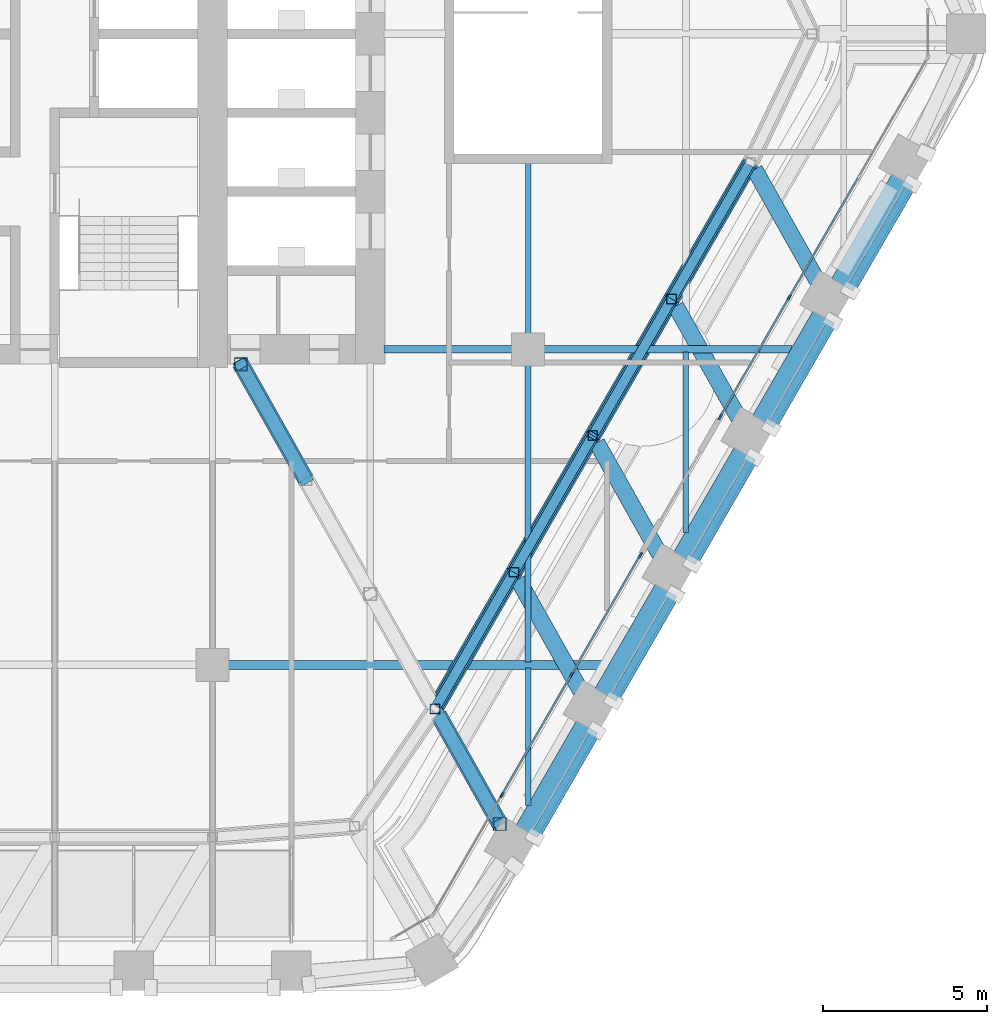
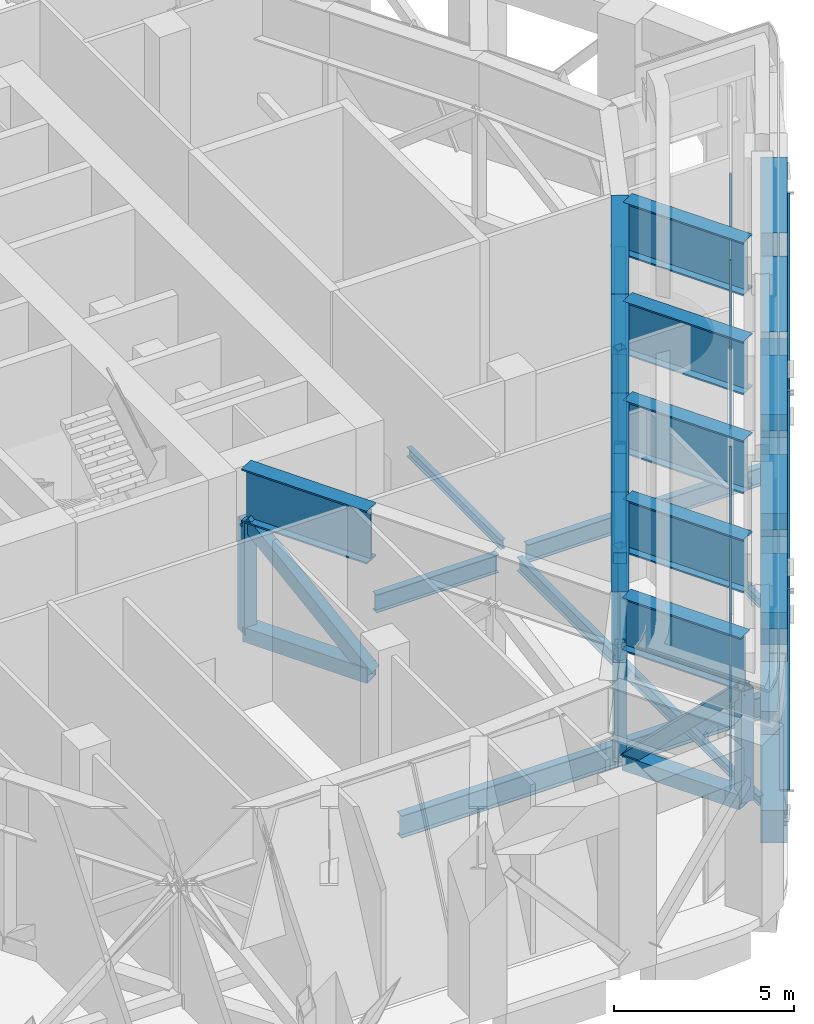
# One storey, part 6 of 27: 36 members, 27 beams, 2 elements without a shape of their own.
"""IFC4 building model written with IfcOpenShell, lengths in metres."""

import ifcopenshell
import ifcopenshell.guid

model = None  # the IFC model being written
_history = None  # IfcOwnerHistory: only IFC2X3 demands one
_inside = {}  # id of a spatial element -> (the spatial element, [elements in it])
_under = {}  # id of a project, library or spatial element -> (it, [spatial elements below it])
_declared = {}  # id of a project -> (the project, [libraries it declares])
_typed = {}  # id of a type object -> (the type object, [elements of that type])
_made_of = {}  # id of a material, layer set ... -> (it, [elements and type objects made of it])


def new_model(schema):
    """Start an empty IFC model of exactly this schema.

    Asked for "IFC4X3", IfcOpenShell would pick the latest addendum, in which some entities
    have other attributes; the version numbers below select the first issue.
    IFC2X3 requires an IfcOwnerHistory on every rooted entity: one is made here for all.
    """
    global model, _history
    if schema == "IFC4X3":
        model = ifcopenshell.file(schema_version=(4, 3, 0, 0))
    else:
        model = ifcopenshell.file(schema=schema)
    _inside.clear()
    _under.clear()
    _declared.clear()
    _typed.clear()
    _made_of.clear()
    _history = None
    if model.schema == "IFC2X3":
        org = make("IfcOrganization", Name="unknown")
        user = make(
            "IfcPersonAndOrganization",
            ThePerson=make("IfcPerson", FamilyName="unknown"),
            TheOrganization=org,
        )
        app = make(
            "IfcApplication",
            ApplicationDeveloper=org,
            Version="unknown",
            ApplicationFullName="unknown",
            ApplicationIdentifier="unknown",
        )
        _history = make(
            "IfcOwnerHistory",
            OwningUser=user,
            OwningApplication=app,
            ChangeAction="ADDED",
            CreationDate=0,
        )
    return model


def make(cls, **values):
    """One entity of the class cls with the attributes given. An attribute that is None is left unset."""
    return model.create_entity(
        cls, **{name: value for name, value in values.items() if value is not None}
    )


def rooted(cls, **values):
    """An entity with a GlobalId (a new one), such as an element, a storey or a relation."""
    return make(cls, GlobalId=ifcopenshell.guid.new(), OwnerHistory=_history, **values)


def si_unit(unit_type, name, prefix=None):
    """IfcSIUnit, for example si_unit("LENGTHUNIT", "METRE", prefix="MILLI")."""
    return make("IfcSIUnit", UnitType=unit_type, Prefix=prefix, Name=name)


def assignment(units):
    """IfcUnitAssignment: the units of a project."""
    return None if units is None else make("IfcUnitAssignment", Units=units)


def point(xyz):
    """IfcCartesianPoint."""
    return None if xyz is None else make("IfcCartesianPoint", Coordinates=xyz)


def direction(xyz):
    """IfcDirection."""
    return None if xyz is None else make("IfcDirection", DirectionRatios=xyz)


def frame(location, z_axis=None, x_axis=None):
    """IfcAxis2Placement3D, a coordinate frame: its origin and axes. An axis left out is left unset."""
    return make(
        "IfcAxis2Placement3D",
        Location=point(location),
        Axis=direction(z_axis),
        RefDirection=direction(x_axis),
    )


def frame_2d(location, x_axis=None):
    """IfcAxis2Placement2D, a coordinate frame in the plane: its origin and x axis."""
    return make(
        "IfcAxis2Placement2D", Location=point(location), RefDirection=direction(x_axis)
    )


def origin():
    """The frame at (0, 0, 0) with its axes left unset."""
    return frame((0.0, 0.0, 0.0))


def origin_2d():
    """The frame at (0, 0) in the plane with its x axis left unset."""
    return frame_2d((0.0, 0.0))


def place(relative_to, where):
    """IfcLocalPlacement: puts the frame where relative to a parent placement (None: the world)."""
    return make(
        "IfcLocalPlacement", PlacementRelTo=relative_to, RelativePlacement=where
    )


def context(
    kind, dimensions, precision=None, world=None, true_north=None, identifier=None
):
    """IfcGeometricRepresentationContext, for example the 3D "Model" context."""
    return make(
        "IfcGeometricRepresentationContext",
        ContextIdentifier=identifier,
        ContextType=kind,
        CoordinateSpaceDimension=dimensions,
        Precision=precision,
        WorldCoordinateSystem=world,
        TrueNorth=true_north,
    )


def subcontext(parent, identifier, kind, view, scale=None):
    """IfcGeometricRepresentationSubContext, for example "Body" below "Model"."""
    return make(
        "IfcGeometricRepresentationSubContext",
        ContextIdentifier=identifier,
        ContextType=kind,
        ParentContext=parent,
        TargetScale=scale,
        TargetView=view,
    )


def project(units=None, contexts=None):
    """IfcProject with its units and contexts."""
    return rooted(
        "IfcProject",
        Name="project",
        RepresentationContexts=contexts,
        UnitsInContext=assignment(units),
    )


def spatial(cls, under=None, at=None, **own):
    """A site, building, storey or space (cls), placed at a placement, below another one or the project."""
    s = rooted(cls, ObjectPlacement=at, **own)
    if under is not None:
        _under.setdefault(under.id(), (under, []))[1].append(s)
    return s


def profile(cls, at=None, kind="AREA", **sizes):
    """A parametric profile (cls). Its sizes go by their IFC names, for example OverallWidth=200.0."""
    return make(cls, ProfileType=kind, Position=at, **sizes)


def rectangle(**sizes):
    """IfcRectangleProfileDef."""
    return profile("IfcRectangleProfileDef", **sizes)


def hollow_rectangle(**sizes):
    """IfcRectangleHollowProfileDef."""
    return profile("IfcRectangleHollowProfileDef", **sizes)


def i_section(**sizes):
    """IfcIShapeProfileDef."""
    return profile("IfcIShapeProfileDef", **sizes)


def extrude(swept, where, along, depth):
    """IfcExtrudedAreaSolid: the profile swept, set in the frame where, extruded along a direction by depth."""
    return make(
        "IfcExtrudedAreaSolid",
        SweptArea=swept,
        Position=where,
        ExtrudedDirection=direction(along),
        Depth=depth,
    )


def shape(context_of_items, identifier, shape_type, items):
    """IfcShapeRepresentation: the items that make up one representation, for example the "Body"."""
    return make(
        "IfcShapeRepresentation",
        ContextOfItems=context_of_items,
        RepresentationIdentifier=identifier,
        RepresentationType=shape_type,
        Items=items,
    )


def material(Name=None, Category=None):
    """IfcMaterial."""
    return make("IfcMaterial", Name=Name, Category=Category)


def material_profile(
    of_material, cross_section, Name=None, Category=None, Priority=None
):
    """IfcMaterialProfile: a cross section and its material."""
    return make(
        "IfcMaterialProfile",
        Name=Name,
        Material=of_material,
        Profile=cross_section,
        Priority=Priority,
        Category=Category,
    )


def profile_set(profiles, Name=None, composite=None):
    """IfcMaterialProfileSet."""
    return make(
        "IfcMaterialProfileSet",
        Name=Name,
        MaterialProfiles=profiles,
        CompositeProfile=composite,
    )


def made_of(thing, what):
    """Note that an element or type object is made of a material, layer set ...; save() writes the relation."""
    if what is not None:
        _made_of.setdefault(what.id(), (what, []))[1].append(thing)
    return thing


def type_object(cls, material=None, **own):
    """A type object (cls), such as IfcWallType, which elements share."""
    return made_of(rooted(cls, **own), material)


def element(
    cls,
    number,
    at=None,
    inside=None,
    cuts=None,
    type_object=None,
    material=None,
    context=None,
    identifier="Body",
    shape_type=None,
    held_by="IfcProductDefinitionShape",
    body=None,
    shapes=None,
    **own,
):
    """One element of the class cls, such as IfcWall. Its Tag is "e" and its number.

    at: its placement. inside: the storey or other place that contains it. cuts: it is an
    opening in that element (IfcRelVoidsElement). A single representation is given by context,
    identifier, shape_type and body (its items); several are given by shapes. held_by: the class
    of the entity that holds the representations. save() writes the other relations.
    """
    e = rooted(cls, Tag="e%d" % number, ObjectPlacement=at, **own)
    if body is not None:
        shapes = [shape(context, identifier, shape_type, body)]
    if shapes is not None:
        e.Representation = make(held_by, Representations=shapes)
    if inside is not None:
        _inside.setdefault(inside.id(), (inside, []))[1].append(e)
    if cuts is not None:
        rooted(
            "IfcRelVoidsElement", RelatingBuildingElement=cuts, RelatedOpeningElement=e
        )
    if type_object is not None:
        _typed.setdefault(type_object.id(), (type_object, []))[1].append(e)
    return made_of(e, material)


def aggregate(whole, parts):
    """IfcRelAggregates: a whole, such as a stair, and the parts it consists of."""
    return rooted("IfcRelAggregates", RelatingObject=whole, RelatedObjects=parts)


def save(model, path):
    """Write the relations noted so far, then the file.

    IfcRelAggregates (storeys below a building ...), IfcRelContainedInSpatialStructure (elements
    in a storey), IfcRelDefinesByType, IfcRelAssociatesMaterial and IfcRelDeclares: one each for
    every whole, place, type object, material and project.
    """
    for whole, parts in _under.values():
        aggregate(whole, parts)
    for where, things in _inside.values():
        rooted(
            "IfcRelContainedInSpatialStructure",
            RelatedElements=things,
            RelatingStructure=where,
        )
    for kind, things in _typed.values():
        rooted("IfcRelDefinesByType", RelatedObjects=things, RelatingType=kind)
    for what, things in _made_of.values():
        rooted("IfcRelAssociatesMaterial", RelatedObjects=things, RelatingMaterial=what)
    for by, libraries in _declared.values():
        rooted("IfcRelDeclares", RelatingContext=by, RelatedDefinitions=libraries)
    model.write(path)


model = new_model("IFC4")

# Units and contexts
model_context = context("Model", 3, precision=1e-05, world=origin(), true_north=direction((0.0, 1.0)))
body_context = subcontext(model_context, "Body", "Model", "MODEL_VIEW")
ifc_project = project(units=[si_unit("LENGTHUNIT", "METRE"), si_unit("AREAUNIT", "SQUARE_METRE"), si_unit("VOLUMEUNIT", "CUBIC_METRE"), si_unit("PLANEANGLEUNIT", "RADIAN"), si_unit("MASSUNIT", "GRAM", prefix="KILO")], contexts=[model_context])

# Site, building, storey
site_placement = place(None, origin())
site = spatial("IfcSite", under=ifc_project, at=site_placement, CompositionType="ELEMENT")
building_placement = place(site_placement, origin())
building = spatial("IfcBuilding", under=site, at=building_placement, Name="Kolab Exchange Tower", CompositionType="ELEMENT")
storey_placement = place(building_placement, frame((0.0, 0.0, 127.39990234375)))
storey = spatial("IfcBuildingStorey", under=building, at=storey_placement, Name="L25", CompositionType="ELEMENT", Elevation=127.39990234375)

# Members
ifc_material_1 = material(Name="Steel S355", Category="steel")
ifc_material_profile_1 = material_profile(ifc_material_1, hollow_rectangle(XDim=0.300048828125, YDim=0.300048828125, WallThickness=0.01611328125, at=origin_2d()), Name="HSS300X300X16")
ifc_profile_set_1 = profile_set([ifc_material_profile_1], Name="Steel S355")
member_type_1 = type_object("IfcMemberType", Name="BELT TRUSS BRACE HSS300X300X16", PredefinedType="BRACE", material=ifc_profile_set_1)
for number, where, z_axis, x_axis, name in (
    (1, (25.967041015625, -3.906982421875, 4.050048828125), (-0.392049206664, -0.678977702437, -0.620714668062), (0.866002622515, -0.50003945624, 0.0), "mem/L25/ring/d-F3-02"),
    (2, (23.56689453125, -8.063720703125, 0.25), (-0.392004841722, -0.679009810783, 0.620707564741), (0.866037363387, -0.499979284789, 0.0), "mem/L25/ring/d-F3-03"),
    (3, (21.1669921875, -12.220703125, 4.050048828125), (-0.392004841722, -0.679009810783, -0.620707564741), (0.866037363387, -0.499979284789, 0.0), "mem/L25/ring/d-F3-04"),
):
    element("IfcMember", number, at=place(storey_placement, frame(where, z_axis=z_axis, x_axis=x_axis)), inside=storey, type_object=member_type_1, Name=name, PredefinedType="BRACE", context=body_context, shape_type="SweptSolid", body=[
        extrude(hollow_rectangle(XDim=0.300048828125, YDim=0.300048828125, WallThickness=0.01611328125, at=origin_2d()), origin(), (0.0, 0.0, 1.0), 6.1220703125),
    ])
member_1_placement = place(storey_placement, frame((18.76708984375, -16.377685546875, 0.25), z_axis=(-0.392038591319, -0.678999195849, 0.620697861244), x_axis=(0.866015339567, -0.500017431331, 0.0)))
element("IfcMember", 4, at=member_1_placement, inside=storey, type_object=member_type_1, Name="mem/L25/ring/d-F3-05", PredefinedType="BRACE", context=body_context, shape_type="SweptSolid", body=[
    extrude(hollow_rectangle(XDim=0.300048828125, YDim=0.300048828125, WallThickness=0.01611328125, at=origin_2d()), origin(), (0.0, 0.0, 1.0), 6.122314453125),
])
for number, where, z_axis, x_axis, name in (
    (5, (30.868896484375, -4.5869140625, 4.60009765625), (-0.33175876964, -0.574575918421, -0.748196921096), (0.866007645851, -0.500030756381, 0.0), "mem/L25/fb/F3-02"),
    (6, (28.468994140625, -8.74365234375, 0.400146484375), (-0.33175876964, -0.574575918421, 0.748196921096), (0.866007645851, -0.500030756381, 0.0), "mem/L25/fb/F3-03"),
):
    element("IfcMember", number, at=place(storey_placement, frame(where, z_axis=z_axis, x_axis=x_axis)), inside=storey, type_object=member_type_1, Name=name, PredefinedType="BRACE", context=body_context, shape_type="SweptSolid", body=[
        extrude(hollow_rectangle(XDim=0.300048828125, YDim=0.300048828125, WallThickness=0.01611328125, at=origin_2d()), origin(), (0.0, 0.0, 1.0), 5.613525390625),
    ])
member_2_placement = place(storey_placement, frame((26.06884765625, -12.900634765625, 4.60009765625), z_axis=(-0.331720063492, -0.574584208573, -0.748207716303), x_axis=(0.866036031404, -0.49998159197, 0.0)))
element("IfcMember", 7, at=member_2_placement, inside=storey, type_object=member_type_1, Name="mem/L25/fb/F3-04", PredefinedType="BRACE", context=body_context, shape_type="SweptSolid", body=[
    extrude(hollow_rectangle(XDim=0.300048828125, YDim=0.300048828125, WallThickness=0.01611328125, at=origin_2d()), origin(), (0.0, 0.0, 1.0), 5.61328125),
])
member_3_placement = place(storey_placement, frame((23.6689453125, -17.0576171875, 0.400146484375), z_axis=(-0.33175876964, -0.574575918421, 0.748196921096), x_axis=(0.866007645851, -0.500030756381, 0.0)))
element("IfcMember", 8, at=member_3_placement, inside=storey, type_object=member_type_1, Name="mem/L25/fb/F3-05", PredefinedType="BRACE", context=body_context, shape_type="SweptSolid", body=[
    extrude(hollow_rectangle(XDim=0.300048828125, YDim=0.300048828125, WallThickness=0.01611328125, at=origin_2d()), origin(), (0.0, 0.0, 1.0), 5.613525390625),
])
member_4_placement = place(storey_placement, frame((21.268798828125, -21.214599609375, 4.60009765625), z_axis=(-0.331720063492, -0.574584208573, -0.748207716303), x_axis=(0.866036031404, -0.49998159197, 0.0)))
element("IfcMember", 9, at=member_4_placement, inside=storey, type_object=member_type_1, Name="mem/L25/fb/F3-06", PredefinedType="BRACE", context=body_context, shape_type="SweptSolid", body=[
    extrude(hollow_rectangle(XDim=0.300048828125, YDim=0.300048828125, WallThickness=0.01611328125, at=origin_2d()), origin(), (0.0, 0.0, 1.0), 5.61328125),
])
ifc_material_profile_2 = material_profile(ifc_material_1, hollow_rectangle(XDim=0.39990234375, YDim=0.39990234375, WallThickness=0.02001953125, at=origin_2d()), Name="HSS400X400X20")
ifc_profile_set_2 = profile_set([ifc_material_profile_2], Name="Steel S355")
member_type_2 = type_object("IfcMemberType", Name="BELT TRUSS CHORD HSS400X400X20", PredefinedType="CHORD", material=ifc_profile_set_2)
member_5_placement = place(storey_placement, frame((25.967041015625, -3.906982421875, 0.25), z_axis=(-0.50003945624, -0.866002622515, 0.0), x_axis=(0.866002622515, -0.50003945624, 0.0)))
element("IfcMember", 10, at=member_5_placement, inside=storey, type_object=member_type_2, Name="mem/L25/ring/c-F3-02", PredefinedType="CHORD", context=body_context, shape_type="SweptSolid", body=[
    extrude(hollow_rectangle(XDim=0.39990234375, YDim=0.39990234375, WallThickness=0.02001953125, at=origin_2d()), origin(), (0.0, 0.0, 1.0), 4.7998046875),
])
for number, where, z_axis, x_axis, name in (
    (11, (23.56689453125, -8.063720703125, 0.25), (-0.499979284789, -0.866037363387, 0.0), (0.866037363387, -0.499979284789, 0.0), "mem/L25/ring/c-F3-03"),
    (12, (21.1669921875, -12.220703125, 0.25), (-0.499979284789, -0.866037363387, 0.0), (0.866037363387, -0.499979284789, 0.0), "mem/L25/ring/c-F3-04"),
    (13, (18.76708984375, -16.377685546875, 0.25), (-0.500017431331, -0.866015339567, 0.0), (0.866015339567, -0.500017431331, 0.0), "mem/L25/ring/c-F3-05"),
):
    element("IfcMember", number, at=place(storey_placement, frame(where, z_axis=z_axis, x_axis=x_axis)), inside=storey, type_object=member_type_2, Name=name, PredefinedType="CHORD", context=body_context, shape_type="SweptSolid", body=[
        extrude(hollow_rectangle(XDim=0.39990234375, YDim=0.39990234375, WallThickness=0.02001953125, at=origin_2d()), origin(), (0.0, 0.0, 1.0), 4.800048828125),
    ])

# Beams
ifc_material_profile_3 = material_profile(ifc_material_1, i_section(OverallWidth=0.5, OverallDepth=1.800048828125, WebThickness=0.031982421875, FlangeThickness=0.050048828125, at=origin_2d()), Name="PG1800X500")
ifc_profile_set_3 = profile_set([ifc_material_profile_3], Name="Steel S355")
beam_type_1 = type_object("IfcBeamType", Name="BELT TRUSS GIRDER PG1800X500", PredefinedType="BEAM", material=ifc_profile_set_3)
beam_1_placement = place(storey_placement, frame((25.967041015625, -3.906982421875, 4.9501953125), z_axis=(-0.50003945624, -0.866002622515, 0.0), x_axis=(0.866002622515, -0.50003945624, 0.0)))
element("IfcBeam", 14, at=beam_1_placement, inside=storey, type_object=beam_type_1, Name="beam/L25/bg/F3-run0", PredefinedType="BEAM", context=body_context, shape_type="SweptSolid", body=[
    extrude(i_section(OverallWidth=0.5, OverallDepth=1.800048828125, WebThickness=0.031982421875, FlangeThickness=0.050048828125, at=origin_2d()), origin(), (0.0, 0.0, 1.0), 4.7998046875),
])
for number, where, z_axis, x_axis, name in (
    (15, (23.56689453125, -8.063720703125, 4.9501953125), (-0.499979284789, -0.866037363387, 0.0), (0.866037363387, -0.499979284789, 0.0), "beam/L25/bg/F3-run1"),
    (16, (21.1669921875, -12.220703125, 4.9501953125), (-0.499979284789, -0.866037363387, 0.0), (0.866037363387, -0.499979284789, 0.0), "beam/L25/bg/F3-run2"),
    (17, (18.76708984375, -16.377685546875, 4.9501953125), (-0.500017431331, -0.866015339567, 0.0), (0.866015339567, -0.500017431331, 0.0), "beam/L25/bg/F3-run3"),
):
    element("IfcBeam", number, at=place(storey_placement, frame(where, z_axis=z_axis, x_axis=x_axis)), inside=storey, type_object=beam_type_1, Name=name, PredefinedType="BEAM", context=body_context, shape_type="SweptSolid", body=[
        extrude(i_section(OverallWidth=0.5, OverallDepth=1.800048828125, WebThickness=0.031982421875, FlangeThickness=0.050048828125, at=origin_2d()), origin(), (0.0, 0.0, 1.0), 4.800048828125),
    ])

# Members
ifc_material_profile_4 = material_profile(ifc_material_1, hollow_rectangle(XDim=0.300048828125, YDim=0.300048828125, WallThickness=0.01611328125, at=origin_2d()), Name="HSS300X300X16")
ifc_profile_set_4 = profile_set([ifc_material_profile_4], Name="Steel S355")
member_type_3 = type_object("IfcMemberType", Name="BELT TRUSS POST HSS300X300X16", PredefinedType="POST", material=ifc_profile_set_4)
for number, where, z_axis, x_axis, name in (
    (18, (23.56689453125, -8.063720703125, 0.25), (0.0, 0.0, 1.0), (1.0, 0.0, 0.0), "mem/L25/ring/p-F3-03"),
    (19, (21.1669921875, -12.220703125, 0.25), (0.0, 0.0, 1.0), (1.0, 0.0, 0.0), "mem/L25/ring/p-F3-04"),
    (20, (18.76708984375, -16.377685546875, 0.25), (0.0, 0.0, 1.0), (1.0, 0.0, 0.0), "mem/L25/ring/p-F3-05"),
    (21, (16.366943359375, -20.53466796875, 0.25), (0.0, 0.0, 1.0), (1.0, 0.0, 0.0), "mem/L25/ring/p-F3-06"),
):
    element("IfcMember", number, at=place(storey_placement, frame(where, z_axis=z_axis, x_axis=x_axis)), inside=storey, type_object=member_type_3, Name=name, PredefinedType="POST", context=body_context, shape_type="SweptSolid", body=[
        extrude(hollow_rectangle(XDim=0.300048828125, YDim=0.300048828125, WallThickness=0.01611328125, at=origin_2d()), origin(), (0.0, 0.0, 1.0), 3.800048828125),
    ])

# Beams
ifc_material_profile_5 = material_profile(ifc_material_1, i_section(OverallWidth=0.1650390625, OverallDepth=0.31005859375, WebThickness=0.005859375, FlangeThickness=0.009765625, at=origin_2d()), Name="W310X39")
ifc_profile_set_5 = profile_set([ifc_material_profile_5], Name="Steel S355")
beam_type_2 = type_object("IfcBeamType", Name="FLOOR BEAM W310X39", PredefinedType="BEAM", material=ifc_profile_set_5)
beam_2_placement = place(storey_placement, frame((19.199951171875, -23.4814453125, -0.454833984375), z_axis=(0.0, 1.0, 0.0), x_axis=(-1.0, 0.0, 0.0)))
element("IfcBeam", 22, at=beam_2_placement, inside=storey, type_object=beam_type_2, Name="beam/L25/fr/040", PredefinedType="BEAM", context=body_context, shape_type="SweptSolid", body=[
    extrude(i_section(OverallWidth=0.1650390625, OverallDepth=0.31005859375, WebThickness=0.005859375, FlangeThickness=0.009765625, at=origin_2d()), origin(), (0.0, 0.0, 1.0), 4.18798828125),
])
beam_3_placement = place(storey_placement, frame((19.199951171875, -9.139892578125, -0.454833984375), z_axis=(0.0, 1.0, 0.0), x_axis=(-1.0, 0.0, 0.0)))
element("IfcBeam", 23, at=beam_3_placement, inside=storey, type_object=beam_type_2, Name="beam/L25/fr/042", PredefinedType="BEAM", context=body_context, shape_type="SweptSolid", body=[
    extrude(i_section(OverallWidth=0.1650390625, OverallDepth=0.31005859375, WebThickness=0.005859375, FlangeThickness=0.009765625, at=origin_2d()), origin(), (0.0, 0.0, 1.0), 5.22998046875),
])
beam_4_placement = place(storey_placement, frame((24.0, -15.167724609375, -0.454833984375), z_axis=(0.0, 1.0, 0.0), x_axis=(-1.0, 0.0, 0.0)))
element("IfcBeam", 24, at=beam_4_placement, inside=storey, type_object=beam_type_2, Name="beam/L25/fr/046", PredefinedType="BEAM", context=body_context, shape_type="SweptSolid", body=[
    extrude(i_section(OverallWidth=0.1650390625, OverallDepth=0.31005859375, WebThickness=0.005859375, FlangeThickness=0.009765625, at=origin_2d()), origin(), (0.0, 0.0, 1.0), 5.49365234375),
])
ifc_material_profile_6 = material_profile(ifc_material_1, i_section(OverallWidth=0.18994140625, OverallDepth=0.45703125, WebThickness=0.009033203125, FlangeThickness=0.014404296875, at=origin_2d()), Name="W460X74")
ifc_profile_set_6 = profile_set([ifc_material_profile_6], Name="Steel S355")
beam_type_3 = type_object("IfcBeamType", Name="FLOOR BEAM W460X74", PredefinedType="BEAM", material=ifc_profile_set_6)
beam_5_placement = place(storey_placement, frame((19.199951171875, -19.1064453125, -0.5283203125), z_axis=(0.0, 1.0, 0.0), x_axis=(-1.0, 0.0, 0.0)))
element("IfcBeam", 25, at=beam_5_placement, inside=storey, type_object=beam_type_3, Name="beam/L25/fr/041", PredefinedType="BEAM", context=body_context, shape_type="SweptSolid", body=[
    extrude(i_section(OverallWidth=0.18994140625, OverallDepth=0.45703125, WebThickness=0.009033203125, FlangeThickness=0.014404296875, at=origin_2d()), origin(), (0.0, 0.0, 1.0), 9.04638671875),
])
ifc_material_profile_7 = material_profile(ifc_material_1, i_section(OverallWidth=0.22802734375, OverallDepth=0.60791015625, WebThickness=0.01123046875, FlangeThickness=0.017333984375, at=origin_2d()), Name="W610X113")
ifc_profile_set_7 = profile_set([ifc_material_profile_7], Name="Steel S355")
beam_type_4 = type_object("IfcBeamType", Name="FLOOR GIRDER W610X113", PredefinedType="BEAM", material=ifc_profile_set_7)
beam_6_placement = place(storey_placement, frame((14.81005859375, -9.60009765625, -0.60400390625), z_axis=(1.0, 0.0, 0.0), x_axis=(0.0, 1.0, 0.0)))
element("IfcBeam", 26, at=beam_6_placement, inside=storey, type_object=beam_type_4, Name="beam/L25/gd/014", PredefinedType="BEAM", context=body_context, shape_type="SweptSolid", body=[
    extrude(i_section(OverallWidth=0.22802734375, OverallDepth=0.60791015625, WebThickness=0.01123046875, FlangeThickness=0.017333984375, at=origin_2d()), origin(), (0.0, 0.0, 1.0), 3.929931640625),
])
beam_7_placement = place(storey_placement, frame((19.659912109375, -9.60009765625, -0.60400390625), z_axis=(1.0, 0.0, 0.0), x_axis=(0.0, 1.0, 0.0)))
element("IfcBeam", 27, at=beam_7_placement, inside=storey, type_object=beam_type_4, Name="beam/L25/gd/017", PredefinedType="BEAM", context=body_context, shape_type="SweptSolid", body=[
    extrude(i_section(OverallWidth=0.22802734375, OverallDepth=0.60791015625, WebThickness=0.01123046875, FlangeThickness=0.017333984375, at=origin_2d()), origin(), (0.0, 0.0, 1.0), 7.571533203125),
])
ifc_material_profile_8 = material_profile(ifc_material_1, i_section(OverallWidth=0.26708984375, OverallDepth=0.761962890625, WebThickness=0.014404296875, FlangeThickness=0.021484375, at=origin_2d()), Name="W760X173")
ifc_profile_set_8 = profile_set([ifc_material_profile_8], Name="Steel S355")
beam_type_5 = type_object("IfcBeamType", Name="FLOOR GIRDER W760X173", PredefinedType="BEAM", material=ifc_profile_set_8)
beam_8_placement = place(storey_placement, frame((10.06005859375, -19.199951171875, -0.680908203125), z_axis=(1.0, 0.0, 0.0), x_axis=(0.0, 1.0, 0.0)))
element("IfcBeam", 28, at=beam_8_placement, inside=storey, type_object=beam_type_5, Name="beam/L25/gd/012", PredefinedType="BEAM", context=body_context, shape_type="SweptSolid", body=[
    extrude(i_section(OverallWidth=0.26708984375, OverallDepth=0.761962890625, WebThickness=0.014404296875, FlangeThickness=0.021484375, at=origin_2d()), origin(), (0.0, 0.0, 1.0), 11.628662109375),
])

# Members
ifc_material_profile_9 = material_profile(ifc_material_1, hollow_rectangle(XDim=0.39990234375, YDim=0.39990234375, WallThickness=0.02001953125, at=origin_2d()), Name="HSS400X400X20")
ifc_profile_set_9 = profile_set([ifc_material_profile_9], Name="Steel S355")
member_type_4 = type_object("IfcMemberType", Name="OUTRIGGER BRACE HSS400X400X20", PredefinedType="BRACE", material=ifc_profile_set_9)
member_6_placement = place(storey_placement, frame((10.461181640625, -10.050048828125, 4.050048828125), z_axis=(0.356267901015, -0.632515813348, -0.687747721604), x_axis=(0.871294182831, 0.490761089498, 0.0)))
element("IfcMember", 29, at=member_6_placement, inside=storey, type_object=member_type_4, Name="mem/L25/out/02/d00", PredefinedType="BRACE", context=body_context, shape_type="SweptSolid", body=[
    extrude(hollow_rectangle(XDim=0.39990234375, YDim=0.39990234375, WallThickness=0.02001953125, at=origin_2d()), origin(), (0.0, 0.0, 1.0), 5.525390625),
])
member_7_placement = place(storey_placement, frame((16.47021484375, -20.717529296875, 0.25), z_axis=(0.347285416227, -0.61663473787, 0.70650862679), x_axis=(0.871316769702, 0.490720986749, 0.0)))
element("IfcMember", 30, at=member_7_placement, inside=storey, type_object=member_type_4, Name="mem/L25/out/02/d03", PredefinedType="BRACE", context=body_context, shape_type="SweptSolid", body=[
    extrude(hollow_rectangle(XDim=0.39990234375, YDim=0.39990234375, WallThickness=0.02001953125, at=origin_2d()), origin(), (0.0, 0.0, 1.0), 5.378662109375),
])
ifc_material_profile_10 = material_profile(ifc_material_1, hollow_rectangle(XDim=0.5, YDim=0.5, WallThickness=0.02490234375, at=origin_2d()), Name="HSS500X500X25")
ifc_profile_set_10 = profile_set([ifc_material_profile_10], Name="Steel S355")
member_type_5 = type_object("IfcMemberType", Name="OUTRIGGER CHORD HSS500X500X25", PredefinedType="CHORD", material=ifc_profile_set_10)
member_8_placement = place(storey_placement, frame((10.461181640625, -10.050048828125, 0.25), z_axis=(0.490761089498, -0.871294182831, 0.0), x_axis=(0.871294182831, 0.490761089498, 0.0)))
element("IfcMember", 31, at=member_8_placement, inside=storey, type_object=member_type_5, Name="mem/L25/out/02/c00", PredefinedType="CHORD", context=body_context, shape_type="SweptSolid", body=[
    extrude(hollow_rectangle(XDim=0.5, YDim=0.5, WallThickness=0.02490234375, at=origin_2d()), origin(), (0.0, 0.0, 1.0), 4.01123046875),
])
member_9_placement = place(storey_placement, frame((16.47021484375, -20.717529296875, 0.25), z_axis=(0.490720986749, -0.871316769702, 0.0), x_axis=(0.871316769702, 0.490720986749, 0.0)))
element("IfcMember", 32, at=member_9_placement, inside=storey, type_object=member_type_5, Name="mem/L25/out/02/c03", PredefinedType="CHORD", context=body_context, shape_type="SweptSolid", body=[
    extrude(hollow_rectangle(XDim=0.5, YDim=0.5, WallThickness=0.02490234375, at=origin_2d()), origin(), (0.0, 0.0, 1.0), 3.806396484375),
])

# Beams
ifc_material_profile_11 = material_profile(ifc_material_1, i_section(OverallWidth=0.5, OverallDepth=1.800048828125, WebThickness=0.031982421875, FlangeThickness=0.050048828125, at=origin_2d()), Name="PG1800X500")
ifc_profile_set_11 = profile_set([ifc_material_profile_11], Name="Steel S355")
beam_type_6 = type_object("IfcBeamType", Name="OUTRIGGER GIRDER PG1800X500", PredefinedType="BEAM", material=ifc_profile_set_11)
beam_9_placement = place(storey_placement, frame((10.44140625, -10.01513671875, 4.9501953125), z_axis=(0.490781881685, -0.871282471194, 0.0), x_axis=(0.871282471194, 0.490781881685, 0.0)))
element("IfcBeam", 33, at=beam_9_placement, inside=storey, type_object=beam_type_6, Name="beam/L25/og/02-00", PredefinedType="BEAM", context=body_context, shape_type="SweptSolid", body=[
    extrude(i_section(OverallWidth=0.5, OverallDepth=1.800048828125, WebThickness=0.031982421875, FlangeThickness=0.050048828125, at=origin_2d()), origin(), (0.0, 0.0, 1.0), 4.05126953125),
])
beam_10_placement = place(storey_placement, frame((16.47021484375, -20.717529296875, 4.9501953125), z_axis=(0.490743303996, -0.87130420037, 0.0), x_axis=(0.87130420037, 0.490743303996, 0.0)))
element("IfcBeam", 34, at=beam_10_placement, inside=storey, type_object=beam_type_6, Name="beam/L25/og/02-03", PredefinedType="BEAM", context=body_context, shape_type="SweptSolid", body=[
    extrude(i_section(OverallWidth=0.5, OverallDepth=1.800048828125, WebThickness=0.031982421875, FlangeThickness=0.050048828125, at=origin_2d()), origin(), (0.0, 0.0, 1.0), 3.8466796875),
])

# Members
ifc_material_profile_12 = material_profile(ifc_material_1, hollow_rectangle(XDim=0.39990234375, YDim=0.39990234375, WallThickness=0.02001953125, at=origin_2d()), Name="HSS400X400X20")
ifc_profile_set_12 = profile_set([ifc_material_profile_12], Name="Steel S355")
member_type_6 = type_object("IfcMemberType", Name="OUTRIGGER POST HSS400X400X20", PredefinedType="POST", material=ifc_profile_set_12)
for number, where, z_axis, x_axis, name in (
    (35, (10.461181640625, -10.050048828125, 0.25), (0.0, 0.0, 1.0), (1.0, 0.0, 0.0), "mem/L25/out/02/p00"),
    (36, (18.338134765625, -24.0341796875, 0.25), (0.0, 0.0, 1.0), (1.0, 0.0, 0.0), "mem/L25/out/02/p04"),
):
    element("IfcMember", number, at=place(storey_placement, frame(where, z_axis=z_axis, x_axis=x_axis)), inside=storey, type_object=member_type_6, Name=name, PredefinedType="POST", context=body_context, shape_type="SweptSolid", body=[
        extrude(hollow_rectangle(XDim=0.39990234375, YDim=0.39990234375, WallThickness=0.02001953125, at=origin_2d()), origin(), (0.0, 0.0, 1.0), 3.800048828125),
    ])

# Beams
ifc_material_2 = material(Name="Concrete C70/85", Category="concrete")
ifc_material_profile_13 = material_profile(ifc_material_2, rectangle(XDim=0.75, YDim=1.10009765625, at=origin_2d()), Name="RC750X1100")
ifc_profile_set_13 = profile_set([ifc_material_profile_13], Name="Concrete C70/85")
beam_type_7 = type_object("IfcBeamType", Name="SPANDREL BEAM 750X1100 C70/85", PredefinedType="BEAM", material=ifc_profile_set_13)
for number, where, z_axis, x_axis, name in (
    (37, (30.59521484375, -4.454345703125, -0.849853515625), (-0.500013413428, -0.866017659399, 0.0), (0.866017659399, -0.500013413428, 0.0), "beam/L25/sp/F3-02"),
    (38, (28.1953125, -8.611328125, -0.849853515625), (-0.500013413428, -0.866017659399, 0.0), (0.866017659399, -0.500013413428, 0.0), "beam/L25/sp/F3-03"),
):
    element("IfcBeam", number, at=place(storey_placement, frame(where, z_axis=z_axis, x_axis=x_axis)), inside=storey, type_object=beam_type_7, Name=name, PredefinedType="BEAM", context=body_context, shape_type="SweptSolid", body=[
        extrude(rectangle(XDim=0.75, YDim=1.10009765625, at=origin_2d()), origin(), (0.0, 0.0, 1.0), 3.68017578125),
    ])
beam_11_placement = place(storey_placement, frame((25.795166015625, -12.768310546875, -0.849853515625), z_axis=(-0.499963655964, -0.866046386007, 0.0), x_axis=(0.866046386007, -0.499963655964, 0.0)))
element("IfcBeam", 39, at=beam_11_placement, inside=storey, type_object=beam_type_7, Name="beam/L25/sp/F3-04", PredefinedType="BEAM", context=body_context, shape_type="SweptSolid", body=[
    extrude(rectangle(XDim=0.75, YDim=1.10009765625, at=origin_2d()), origin(), (0.0, 0.0, 1.0), 3.679931640625),
])
for number, where, z_axis, x_axis, name in (
    (40, (23.395263671875, -16.925048828125, -0.849853515625), (-0.500013413428, -0.866017659399, 0.0), (0.866017659399, -0.500013413428, 0.0), "beam/L25/sp/F3-05"),
    (41, (20.995361328125, -21.08203125, -0.849853515625), (-0.500013413428, -0.866017659399, 0.0), (0.866017659399, -0.500013413428, 0.0), "beam/L25/sp/F3-06"),
    (42, (30.59521484375, -4.454345703125, 5.300048828125), (-0.500013413428, -0.866017659399, 0.0), (0.866017659399, -0.500013413428, 0.0), "beam/L25/cp/F3-02"),
    (43, (28.1953125, -8.611328125, 5.300048828125), (-0.500013413428, -0.866017659399, 0.0), (0.866017659399, -0.500013413428, 0.0), "beam/L25/cp/F3-03"),
):
    element("IfcBeam", number, at=place(storey_placement, frame(where, z_axis=z_axis, x_axis=x_axis)), inside=storey, type_object=beam_type_7, Name=name, PredefinedType="BEAM", context=body_context, shape_type="SweptSolid", body=[
        extrude(rectangle(XDim=0.75, YDim=1.10009765625, at=origin_2d()), origin(), (0.0, 0.0, 1.0), 3.68017578125),
    ])
for number, where, z_axis, x_axis, name in (
    (44, (25.795166015625, -12.768310546875, 5.300048828125), (-0.500042141888, -0.866001071787, 0.0), (0.866001071787, -0.500042141888, 0.0), "beam/L25/cp/F3-04"),
    (45, (23.395263671875, -16.92529296875, 5.300048828125), (-0.500042141888, -0.866001071787, 0.0), (0.866001071787, -0.500042141888, 0.0), "beam/L25/cp/F3-05"),
    (46, (20.9951171875, -21.08203125, 5.300048828125), (-0.499963655964, -0.866046386007, 0.0), (0.866046386007, -0.499963655964, 0.0), "beam/L25/cp/F3-06"),
):
    element("IfcBeam", number, at=place(storey_placement, frame(where, z_axis=z_axis, x_axis=x_axis)), inside=storey, type_object=beam_type_7, Name=name, PredefinedType="BEAM", context=body_context, shape_type="SweptSolid", body=[
        extrude(rectangle(XDim=0.75, YDim=1.10009765625, at=origin_2d()), origin(), (0.0, 0.0, 1.0), 3.679931640625),
    ])
ifc_material_profile_14 = material_profile(ifc_material_1, i_section(OverallWidth=0.5, OverallDepth=1.800048828125, WebThickness=0.031982421875, FlangeThickness=0.050048828125, at=origin_2d()), Name="PG1800X500")
ifc_profile_set_14 = profile_set([ifc_material_profile_14], Name="Steel S355")
beam_type_8 = type_object("IfcBeamType", Name="TRANSFER GIRDER PG1800X500", PredefinedType="BEAM", material=ifc_profile_set_14)
beam_12_placement = place(storey_placement, frame((26.089599609375, -4.124755859375, 4.9501953125), z_axis=(0.490774507878, -0.87128662472, 0.0), x_axis=(0.87128662472, 0.490774507878, 0.0)))
element("IfcBeam", 47, at=beam_12_placement, inside=storey, type_object=beam_type_8, Name="beam/L25/tg/F3-02", PredefinedType="BEAM", context=body_context, shape_type="SweptSolid", body=[
    extrude(i_section(OverallWidth=0.5, OverallDepth=1.800048828125, WebThickness=0.031982421875, FlangeThickness=0.050048828125, at=origin_2d()), origin(), (0.0, 0.0, 1.0), 3.8837890625),
])
for number, where, z_axis, x_axis, name in (
    (48, (23.689697265625, -8.28173828125, 4.9501953125), (0.490801389835, -0.871271482224, 0.0), (0.871271482224, 0.490801389835, 0.0), "beam/L25/tg/F3-03"),
    (49, (21.289794921875, -12.438720703125, 4.9501953125), (0.490801389835, -0.871271482224, 0.0), (0.871271482224, 0.490801389835, 0.0), "beam/L25/tg/F3-04"),
):
    element("IfcBeam", number, at=place(storey_placement, frame(where, z_axis=z_axis, x_axis=x_axis)), inside=storey, type_object=beam_type_8, Name=name, PredefinedType="BEAM", context=body_context, shape_type="SweptSolid", body=[
        extrude(i_section(OverallWidth=0.5, OverallDepth=1.800048828125, WebThickness=0.031982421875, FlangeThickness=0.050048828125, at=origin_2d()), origin(), (0.0, 0.0, 1.0), 3.883544921875),
    ])
beam_13_placement = place(storey_placement, frame((18.8896484375, -16.595458984375, 4.9501953125), z_axis=(0.490774507878, -0.87128662472, 0.0), x_axis=(0.87128662472, 0.490774507878, 0.0)))
element("IfcBeam", 50, at=beam_13_placement, inside=storey, type_object=beam_type_8, Name="beam/L25/tg/F3-05", PredefinedType="BEAM", context=body_context, shape_type="SweptSolid", body=[
    extrude(i_section(OverallWidth=0.5, OverallDepth=1.800048828125, WebThickness=0.031982421875, FlangeThickness=0.050048828125, at=origin_2d()), origin(), (0.0, 0.0, 1.0), 3.8837890625),
])

# Curtain wall, members
ifc_material_3 = material(Name="Aluminium EN AW-6063 T6", Category="aluminium")
curtain_wall_type = type_object("IfcCurtainWallType", Name="UNITISED LOWER MID ZONE BELT CURTAIN WALL", PredefinedType="NOTDEFINED", material=ifc_material_3)
curtain_wall_1_placement = place(storey_placement, origin())
curtain_wall_1 = element("IfcCurtainWall", 51, at=curtain_wall_1_placement, inside=storey, type_object=curtain_wall_type, Name="cw/L25/F3-1", PredefinedType="NOTDEFINED")
ifc_material_profile_15 = material_profile(ifc_material_3, rectangle(XDim=0.06005859375, YDim=0.179931640625, at=origin_2d()), Name="RECT 60X180")
ifc_profile_set_15 = profile_set([ifc_material_profile_15], Name="Aluminium EN AW-6063 T6")
member_type_7 = type_object("IfcMemberType", Name="UNITISED LOWER MID ZONE BELT MULLION 60 X 180", PredefinedType="MULLION", material=ifc_profile_set_15)
member_10_placement = place(storey_placement, frame((27.14306640625, -8.02392578125, 0.0), z_axis=(0.0, 0.0, 1.0), x_axis=(0.866025427826, -0.499999958358, 0.0)))
member_10 = element("IfcMember", 52, at=member_10_placement, type_object=member_type_7, Name="CW10 mullion 3", PredefinedType="MULLION", context=body_context, shape_type="SweptSolid", body=[
    extrude(rectangle(XDim=0.06005859375, YDim=0.179931640625, at=origin_2d()), origin(), (0.0, 0.0, 1.0), 5.7001953125),
])
member_11_placement = place(storey_placement, frame((25.046630859375, -11.65478515625, 0.0), z_axis=(0.0, 0.0, 1.0), x_axis=(0.866025427826, -0.499999958358, 0.0)))
member_11 = element("IfcMember", 53, at=member_11_placement, type_object=member_type_7, Name="CW10 mullion 4", PredefinedType="MULLION", context=body_context, shape_type="SweptSolid", body=[
    extrude(rectangle(XDim=0.06005859375, YDim=0.179931640625, at=origin_2d()), origin(), (0.0, 0.0, 1.0), 5.7001953125),
])

curtain_wall_2_placement = place(storey_placement, origin())
curtain_wall_2 = element("IfcCurtainWall", 54, at=curtain_wall_2_placement, inside=storey, type_object=curtain_wall_type, Name="cw/L25/F3-2", PredefinedType="NOTDEFINED")
member_12_placement = place(storey_placement, frame((22.61669921875, -15.86376953125, 0.0), z_axis=(0.0, 0.0, 1.0), x_axis=(0.866025393644, -0.500000017564, 0.0)))
member_12 = element("IfcMember", 55, at=member_12_placement, type_object=member_type_7, Name="CW10 mullion 1", PredefinedType="MULLION", context=body_context, shape_type="SweptSolid", body=[
    extrude(rectangle(XDim=0.06005859375, YDim=0.179931640625, at=origin_2d()), origin(), (0.0, 0.0, 1.0), 5.7001953125),
])
member_13_placement = place(storey_placement, frame((20.520263671875, -19.49462890625, 0.0), z_axis=(0.0, 0.0, 1.0), x_axis=(0.866025393644, -0.500000017564, 0.0)))
member_13 = element("IfcMember", 56, at=member_13_placement, type_object=member_type_7, Name="CW10 mullion 2", PredefinedType="MULLION", context=body_context, shape_type="SweptSolid", body=[
    extrude(rectangle(XDim=0.06005859375, YDim=0.179931640625, at=origin_2d()), origin(), (0.0, 0.0, 1.0), 5.7001953125),
])
member_14_placement = place(storey_placement, frame((18.408935546875, -23.151611328125, 0.0), z_axis=(0.0, 0.0, 1.0), x_axis=(0.866025393644, -0.500000017564, 0.0)))
member_14 = element("IfcMember", 57, at=member_14_placement, type_object=member_type_7, Name="CW10 mullion 3", PredefinedType="MULLION", context=body_context, shape_type="SweptSolid", body=[
    extrude(rectangle(XDim=0.06005859375, YDim=0.179931640625, at=origin_2d()), origin(), (0.0, 0.0, 1.0), 5.7001953125),
])

# Member
ifc_material_profile_16 = material_profile(ifc_material_3, rectangle(XDim=0.06005859375, YDim=0.1201171875, at=origin_2d()), Name="RECT 60X120")
ifc_profile_set_16 = profile_set([ifc_material_profile_16], Name="Aluminium EN AW-6063 T6")
member_type_8 = type_object("IfcMemberType", Name="UNITISED LOWER MID ZONE BELT TRANSOM 60 X 120", PredefinedType="USERDEFINED", material=ifc_profile_set_16)
member_15_placement = place(storey_placement, frame((29.2392578125, -4.392822265625, 0.030029296875), z_axis=(-0.49999322259, -0.866029316688, 0.0), x_axis=(0.866029316688, -0.49999322259, 0.0)))
member_15 = element("IfcMember", 58, at=member_15_placement, type_object=member_type_8, Name="CW10 transom 2.1", ObjectType="TRANSOM", PredefinedType="USERDEFINED", context=body_context, shape_type="SweptSolid", body=[
    extrude(rectangle(XDim=0.06005859375, YDim=0.1201171875, at=origin_2d()), origin(), (0.0, 0.0, 1.0), 4.16259765625),
])

member_16_placement = place(storey_placement, frame((29.2392578125, -4.392822265625, 5.670166015625), z_axis=(-0.49999322259, -0.866029316688, 0.0), x_axis=(0.866029316688, -0.49999322259, 0.0)))
member_16 = element("IfcMember", 59, at=member_16_placement, type_object=member_type_8, Name="CW10 transom 2.2", ObjectType="TRANSOM", PredefinedType="USERDEFINED", context=body_context, shape_type="SweptSolid", body=[
    extrude(rectangle(XDim=0.06005859375, YDim=0.1201171875, at=origin_2d()), origin(), (0.0, 0.0, 1.0), 4.16259765625),
])

member_17_placement = place(storey_placement, frame((27.1279296875, -8.0498046875, 0.030029296875), z_axis=(-0.499957688808, -0.866049830784, 0.0), x_axis=(0.866049830784, -0.499957688808, 0.0)))
member_17 = element("IfcMember", 60, at=member_17_placement, type_object=member_type_8, Name="CW10 transom 3.1", ObjectType="TRANSOM", PredefinedType="USERDEFINED", context=body_context, shape_type="SweptSolid", body=[
    extrude(rectangle(XDim=0.06005859375, YDim=0.1201171875, at=origin_2d()), origin(), (0.0, 0.0, 1.0), 4.132568359375),
])

member_18_placement = place(storey_placement, frame((27.1279296875, -8.0498046875, 5.670166015625), z_axis=(-0.499957688808, -0.866049830784, 0.0), x_axis=(0.866049830784, -0.499957688808, 0.0)))
member_18 = element("IfcMember", 61, at=member_18_placement, type_object=member_type_8, Name="CW10 transom 3.2", ObjectType="TRANSOM", PredefinedType="USERDEFINED", context=body_context, shape_type="SweptSolid", body=[
    extrude(rectangle(XDim=0.06005859375, YDim=0.1201171875, at=origin_2d()), origin(), (0.0, 0.0, 1.0), 4.132568359375),
])

aggregate(curtain_wall_1, [member_10, member_11, member_15, member_16, member_17, member_18])

member_19_placement = place(storey_placement, frame((22.6015625, -15.8896484375, 0.030029296875), z_axis=(-0.499957688808, -0.866049830784, 0.0), x_axis=(0.866049830784, -0.499957688808, 0.0)))
member_19 = element("IfcMember", 62, at=member_19_placement, type_object=member_type_8, Name="CW10 transom 1.1", ObjectType="TRANSOM", PredefinedType="USERDEFINED", context=body_context, shape_type="SweptSolid", body=[
    extrude(rectangle(XDim=0.06005859375, YDim=0.1201171875, at=origin_2d()), origin(), (0.0, 0.0, 1.0), 4.132568359375),
])

member_20_placement = place(storey_placement, frame((22.6015625, -15.8896484375, 5.670166015625), z_axis=(-0.499957688808, -0.866049830784, 0.0), x_axis=(0.866049830784, -0.499957688808, 0.0)))
member_20 = element("IfcMember", 63, at=member_20_placement, type_object=member_type_8, Name="CW10 transom 1.2", ObjectType="TRANSOM", PredefinedType="USERDEFINED", context=body_context, shape_type="SweptSolid", body=[
    extrude(rectangle(XDim=0.06005859375, YDim=0.1201171875, at=origin_2d()), origin(), (0.0, 0.0, 1.0), 4.132568359375),
])

member_21_placement = place(storey_placement, frame((20.50537109375, -19.5205078125, 0.030029296875), z_axis=(-0.49999322259, -0.866029316688, 0.0), x_axis=(0.866029316688, -0.49999322259, 0.0)))
member_21 = element("IfcMember", 64, at=member_21_placement, type_object=member_type_8, Name="CW10 transom 2.1", ObjectType="TRANSOM", PredefinedType="USERDEFINED", context=body_context, shape_type="SweptSolid", body=[
    extrude(rectangle(XDim=0.06005859375, YDim=0.1201171875, at=origin_2d()), origin(), (0.0, 0.0, 1.0), 4.16259765625),
])

member_22_placement = place(storey_placement, frame((20.50537109375, -19.5205078125, 5.670166015625), z_axis=(-0.49999322259, -0.866029316688, 0.0), x_axis=(0.866029316688, -0.49999322259, 0.0)))
member_22 = element("IfcMember", 65, at=member_22_placement, type_object=member_type_8, Name="CW10 transom 2.2", ObjectType="TRANSOM", PredefinedType="USERDEFINED", context=body_context, shape_type="SweptSolid", body=[
    extrude(rectangle(XDim=0.06005859375, YDim=0.1201171875, at=origin_2d()), origin(), (0.0, 0.0, 1.0), 4.16259765625),
])

aggregate(curtain_wall_2, [member_12, member_13, member_14, member_19, member_20, member_21, member_22])

save(model, "model.ifc")
